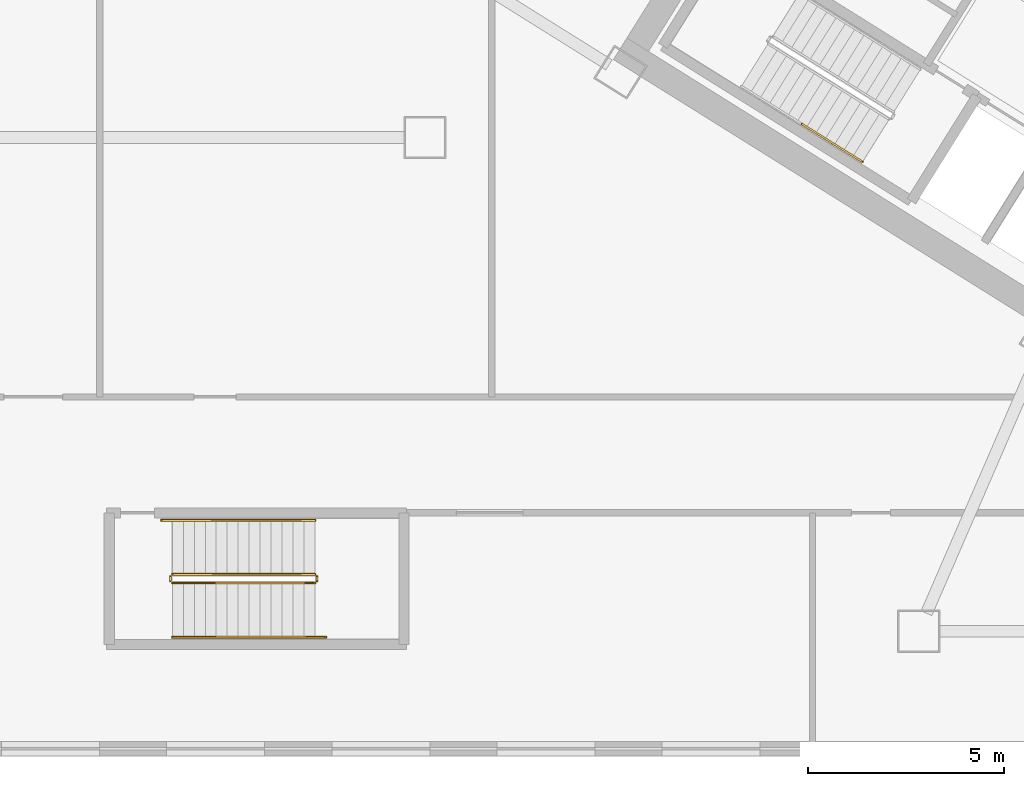
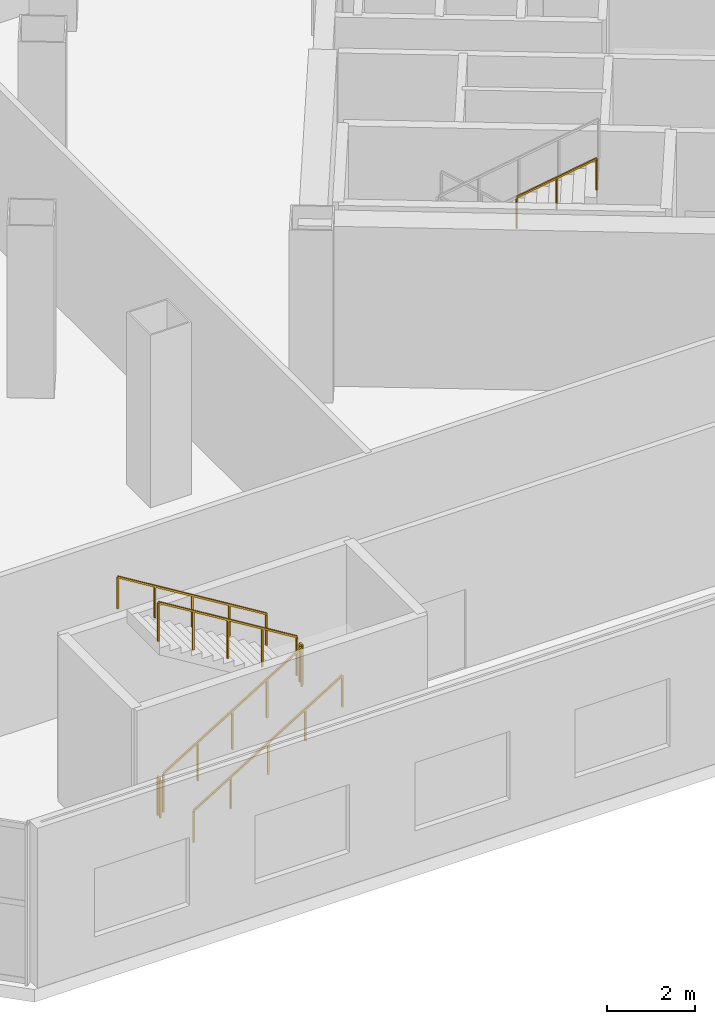
# One storey, part 16 of 22: 7 railings.
"""IFC4 building model written with IfcOpenShell, lengths in metres."""

from ifc_helpers import new_model, si_unit, direction, frame, origin, origin_2d, place, context, subcontext, project, spatial, rectangle, extrude, source, transform, mapped, material, type_object, element, save


model = new_model("IFC4")

# Units and contexts
model_context = context("Model", 3, precision=1e-05, world=origin(), true_north=direction((0.0, 1.0)))
body_context = subcontext(model_context, "Body", "Model", "MODEL_VIEW")
ifc_project = project(units=[si_unit("LENGTHUNIT", "METRE"), si_unit("AREAUNIT", "SQUARE_METRE"), si_unit("VOLUMEUNIT", "CUBIC_METRE"), si_unit("PLANEANGLEUNIT", "RADIAN"), si_unit("MASSUNIT", "GRAM", prefix="KILO")], contexts=[model_context])

# Site, building, storey
site_placement = place(None, origin())
site = spatial("IfcSite", under=ifc_project, at=site_placement, CompositionType="ELEMENT")
building_placement = place(site_placement, origin())
building = spatial("IfcBuilding", under=site, at=building_placement, Name="Tlacorven Tower", CompositionType="ELEMENT")
storey_placement = place(building_placement, frame((0.0, 0.0, 5.39990234375)))
storey = spatial("IfcBuildingStorey", under=building, at=storey_placement, Name="L01", CompositionType="ELEMENT", Elevation=5.39990234375)

# Railings
ifc_material = material(Name="Aluminium and painted steel balustrade", Category="steel")
railing_type_1 = type_object("IfcRailingType", Name="RL-HND-0900", PredefinedType="HANDRAIL", material=ifc_material)
shared_shape_1 = source(origin(), body_context, "Body", "SweptSolid", [
    extrude(rectangle(XDim=0.048095703125, YDim=0.048095703125, at=origin_2d()), frame((0.0, 0.0, 0.8759765625), z_axis=(0.723280932889, -0.45190757433, 0.522153460567), x_axis=(0.529878353595, 0.848073658589, 0.0)), (0.0, 0.0, 1.0), 2.134033203125),
    extrude(rectangle(XDim=0.0419921875, YDim=0.0419921875, at=origin_2d()), origin(), (0.0, 0.0, 1.0), 0.851806640625),
    extrude(rectangle(XDim=0.0419921875, YDim=0.0419921875, at=origin_2d()), frame((0.771728515625, -0.482177734375, 0.55712890625)), (0.0, 0.0, 1.0), 0.851806640625),
    extrude(rectangle(XDim=0.0419921875, YDim=0.0419921875, at=origin_2d()), frame((1.54345703125, -0.96435546875, 1.1142578125)), (0.0, 0.0, 1.0), 0.851806640625),
])
railing_1_placement = place(storey_placement, frame((26.822265625, 17.544189453125, 3.685791015625)))
element("IfcRailing", 1, at=railing_1_placement, inside=storey, type_object=railing_type_1, Name="L01 ST-W1 stair handrail 4", PredefinedType="HANDRAIL", context=body_context, shape_type="MappedRepresentation", body=[
    mapped(shared_shape_1, transform((0.0, 0.0, 0.0), scale=1.0)),
])
railing_type_2 = type_object("IfcRailingType", Name="RL-GRD-1100", PredefinedType="GUARDRAIL", material=ifc_material)
shared_shape_2 = source(origin(), body_context, "Body", "SweptSolid", [
    extrude(rectangle(XDim=0.048095703125, YDim=0.048095703125, at=origin_2d()), frame((0.0, 0.0, 1.076171875), z_axis=(0.852850264322, 0.0, 0.5221555579), x_axis=(0.0, 1.0, 0.0)), (0.0, 0.0, 1.0), 4.267822265625),
    extrude(rectangle(XDim=0.0419921875, YDim=0.0419921875, at=origin_2d()), origin(), (0.0, 0.0, 1.0), 1.052001953125),
    extrude(rectangle(XDim=0.0419921875, YDim=0.0419921875, at=origin_2d()), frame((0.909912109375, 0.0, 0.55712890625)), (0.0, 0.0, 1.0), 1.052001953125),
    extrude(rectangle(XDim=0.0419921875, YDim=0.0419921875, at=origin_2d()), frame((1.81982421875, 0.0, 1.1142578125)), (0.0, 0.0, 1.0), 1.052001953125),
    extrude(rectangle(XDim=0.0419921875, YDim=0.0419921875, at=origin_2d()), frame((2.72998046875, 0.0, 1.67138671875)), (0.0, 0.0, 1.0), 1.052001953125),
    extrude(rectangle(XDim=0.0419921875, YDim=0.0419921875, at=origin_2d()), frame((3.639892578125, 0.0, 2.228515625)), (0.0, 0.0, 1.0), 1.052001953125),
])
railing_2_placement = place(storey_placement, frame((10.75, 5.830078125, 0.171630859375)))
element("IfcRailing", 2, at=railing_2_placement, inside=storey, type_object=railing_type_2, Name="L01 ST-P1 stair guard 1", PredefinedType="GUARDRAIL", context=body_context, shape_type="MappedRepresentation", body=[
    mapped(shared_shape_2, transform((0.0, 0.0, 0.0), scale=1.0)),
])
shared_shape_3 = source(origin(), body_context, "Body", "SweptSolid", [
    extrude(rectangle(XDim=0.048095703125, YDim=0.048095703125, at=origin_2d()), frame((0.0, 0.0, 1.076171875), z_axis=(0.0, 1.0, 0.0), x_axis=(-1.0, 0.0, 0.0)), (0.0, 0.0, 1.0), 0.1201171875),
    extrude(rectangle(XDim=0.0419921875, YDim=0.0419921875, at=origin_2d()), origin(), (0.0, 0.0, 1.0), 1.052001953125),
    extrude(rectangle(XDim=0.0419921875, YDim=0.0419921875, at=origin_2d()), frame((0.0, 0.1201171875, 0.0)), (0.0, 0.0, 1.0), 1.052001953125),
])
for number, where, name in (
    (3, (14.43994140625, 5.8798828125, 2.400146484375), "L01 ST-P1 stair guard 2"),
    (4, (10.699951171875, 5.8798828125, 0.0), "L01 ST-P1 stair guard 4"),
):
    element("IfcRailing", number, at=place(storey_placement, frame(where)), inside=storey, type_object=railing_type_2, Name=name, PredefinedType="GUARDRAIL", context=body_context, shape_type="MappedRepresentation", body=[
        mapped(shared_shape_3, transform((0.0, 0.0, 0.0), scale=1.0)),
    ])
shared_shape_4 = source(origin(), body_context, "Body", "SweptSolid", [
    extrude(rectangle(XDim=0.048095703125, YDim=0.048095703125, at=origin_2d()), frame((0.0, 0.0, 1.076171875), z_axis=(-0.852850264322, 0.0, 0.5221555579), x_axis=(0.0, -1.0, 0.0)), (0.0, 0.0, 1.0), 4.267822265625),
    extrude(rectangle(XDim=0.0419921875, YDim=0.0419921875, at=origin_2d()), origin(), (0.0, 0.0, 1.0), 1.052001953125),
    extrude(rectangle(XDim=0.0419921875, YDim=0.0419921875, at=origin_2d()), frame((-0.909912109375, 0.0, 0.55712890625)), (0.0, 0.0, 1.0), 1.052001953125),
    extrude(rectangle(XDim=0.0419921875, YDim=0.0419921875, at=origin_2d()), frame((-1.81982421875, 0.0, 1.1142578125)), (0.0, 0.0, 1.0), 1.052001953125),
    extrude(rectangle(XDim=0.0419921875, YDim=0.0419921875, at=origin_2d()), frame((-2.72998046875, 0.0, 1.67138671875)), (0.0, 0.0, 1.0), 1.052001953125),
    extrude(rectangle(XDim=0.0419921875, YDim=0.0419921875, at=origin_2d()), frame((-3.639892578125, 0.0, 2.228515625)), (0.0, 0.0, 1.0), 1.052001953125),
])
railing_3_placement = place(storey_placement, frame((14.389892578125, 6.050048828125, 2.571533203125)))
element("IfcRailing", 5, at=railing_3_placement, inside=storey, type_object=railing_type_2, Name="L01 ST-P1 stair guard 3", PredefinedType="GUARDRAIL", context=body_context, shape_type="MappedRepresentation", body=[
    mapped(shared_shape_4, transform((0.0, 0.0, 0.0), scale=1.0)),
])
shared_shape_5 = source(origin(), body_context, "Body", "SweptSolid", [
    extrude(rectangle(XDim=0.048095703125, YDim=0.048095703125, at=origin_2d()), frame((0.0, 0.0, 0.8759765625), z_axis=(0.852856131449, 0.0, 0.522145974847), x_axis=(0.0, 1.0, 0.0)), (0.0, 0.0, 1.0), 4.59619140625),
    extrude(rectangle(XDim=0.0419921875, YDim=0.0419921875, at=origin_2d()), origin(), (0.0, 0.0, 1.0), 0.851806640625),
    extrude(rectangle(XDim=0.0419921875, YDim=0.0419921875, at=origin_2d()), frame((0.97998046875, 0.0, 0.60009765625)), (0.0, 0.0, 1.0), 0.851806640625),
    extrude(rectangle(XDim=0.0419921875, YDim=0.0419921875, at=origin_2d()), frame((1.9599609375, 0.0, 1.199951171875)), (0.0, 0.0, 1.0), 0.851806640625),
    extrude(rectangle(XDim=0.0419921875, YDim=0.0419921875, at=origin_2d()), frame((2.93994140625, 0.0, 1.7998046875)), (0.0, 0.0, 1.0), 0.851806640625),
    extrude(rectangle(XDim=0.0419921875, YDim=0.0419921875, at=origin_2d()), frame((3.919921875, 0.0, 2.39990234375)), (0.0, 0.0, 1.0), 0.851806640625),
])
railing_4_placement = place(storey_placement, frame((10.75, 4.449951171875, 0.171630859375)))
element("IfcRailing", 6, at=railing_4_placement, inside=storey, type_object=railing_type_1, Name="L01 ST-P1 stair handrail 1", PredefinedType="HANDRAIL", context=body_context, shape_type="MappedRepresentation", body=[
    mapped(shared_shape_5, transform((0.0, 0.0, 0.0), scale=1.0)),
])
shared_shape_6 = source(origin(), body_context, "Body", "SweptSolid", [
    extrude(rectangle(XDim=0.048095703125, YDim=0.048095703125, at=origin_2d()), frame((0.0, 0.0, 0.8759765625), z_axis=(-0.852856131449, 0.0, 0.522145974847), x_axis=(0.0, -1.0, 0.0)), (0.0, 0.0, 1.0), 4.59619140625),
    extrude(rectangle(XDim=0.0419921875, YDim=0.0419921875, at=origin_2d()), origin(), (0.0, 0.0, 1.0), 0.851806640625),
    extrude(rectangle(XDim=0.0419921875, YDim=0.0419921875, at=origin_2d()), frame((-0.97998046875, 0.0, 0.60009765625)), (0.0, 0.0, 1.0), 0.851806640625),
    extrude(rectangle(XDim=0.0419921875, YDim=0.0419921875, at=origin_2d()), frame((-1.9599609375, 0.0, 1.199951171875)), (0.0, 0.0, 1.0), 0.851806640625),
    extrude(rectangle(XDim=0.0419921875, YDim=0.0419921875, at=origin_2d()), frame((-2.93994140625, 0.0, 1.7998046875)), (0.0, 0.0, 1.0), 0.851806640625),
    extrude(rectangle(XDim=0.0419921875, YDim=0.0419921875, at=origin_2d()), frame((-3.919921875, 0.0, 2.39990234375)), (0.0, 0.0, 1.0), 0.851806640625),
])
railing_5_placement = place(storey_placement, frame((14.389892578125, 7.429931640625, 2.571533203125)))
element("IfcRailing", 7, at=railing_5_placement, inside=storey, type_object=railing_type_1, Name="L01 ST-P1 stair handrail 2", PredefinedType="HANDRAIL", context=body_context, shape_type="MappedRepresentation", body=[
    mapped(shared_shape_6, transform((0.0, 0.0, 0.0), scale=1.0)),
])

save(model, "model.ifc")
